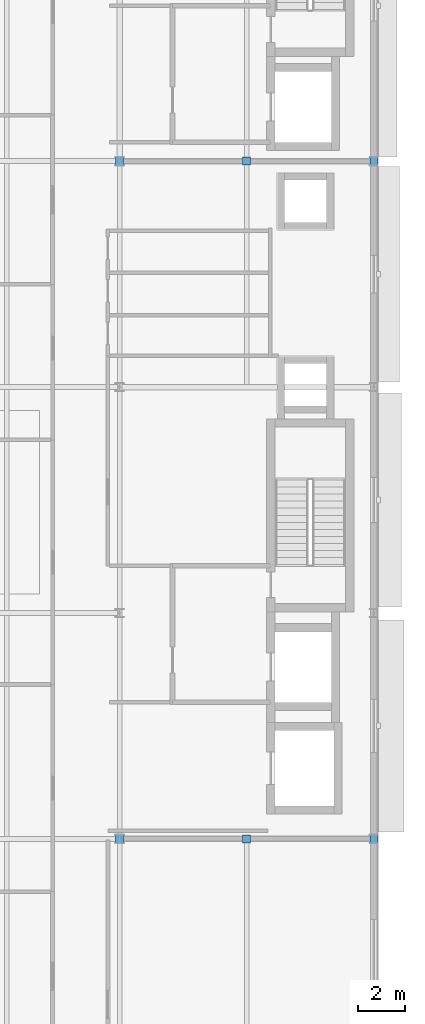
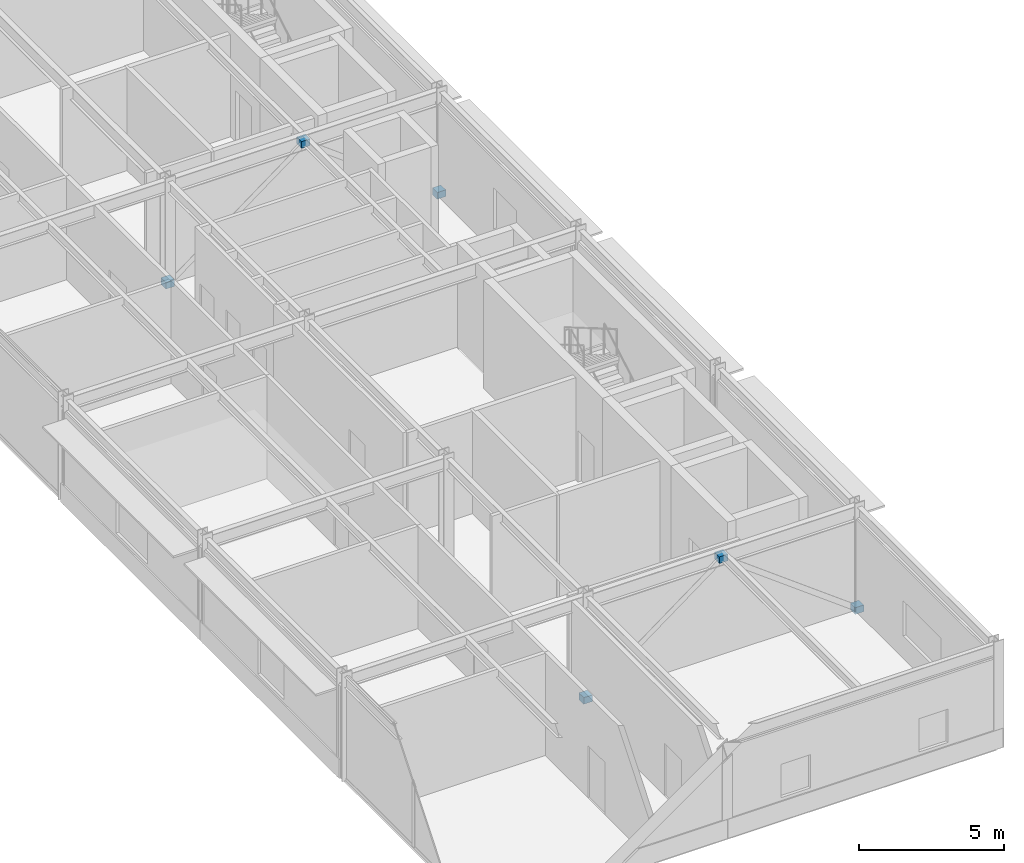
# One storey, part 81 of 116: 6 plates.
"""IFC4 building model written with IfcOpenShell, lengths in metres."""

import ifcopenshell
import ifcopenshell.guid

model = None  # the IFC model being written
_history = None  # IfcOwnerHistory: only IFC2X3 demands one
_inside = {}  # id of a spatial element -> (the spatial element, [elements in it])
_under = {}  # id of a project, library or spatial element -> (it, [spatial elements below it])
_declared = {}  # id of a project -> (the project, [libraries it declares])
_typed = {}  # id of a type object -> (the type object, [elements of that type])
_made_of = {}  # id of a material, layer set ... -> (it, [elements and type objects made of it])


def new_model(schema):
    """Start an empty IFC model of exactly this schema.

    Asked for "IFC4X3", IfcOpenShell would pick the latest addendum, in which some entities
    have other attributes; the version numbers below select the first issue.
    IFC2X3 requires an IfcOwnerHistory on every rooted entity: one is made here for all.
    """
    global model, _history
    if schema == "IFC4X3":
        model = ifcopenshell.file(schema_version=(4, 3, 0, 0))
    else:
        model = ifcopenshell.file(schema=schema)
    _inside.clear()
    _under.clear()
    _declared.clear()
    _typed.clear()
    _made_of.clear()
    _history = None
    if model.schema == "IFC2X3":
        org = make("IfcOrganization", Name="unknown")
        user = make(
            "IfcPersonAndOrganization",
            ThePerson=make("IfcPerson", FamilyName="unknown"),
            TheOrganization=org,
        )
        app = make(
            "IfcApplication",
            ApplicationDeveloper=org,
            Version="unknown",
            ApplicationFullName="unknown",
            ApplicationIdentifier="unknown",
        )
        _history = make(
            "IfcOwnerHistory",
            OwningUser=user,
            OwningApplication=app,
            ChangeAction="ADDED",
            CreationDate=0,
        )
    return model


def make(cls, **values):
    """One entity of the class cls with the attributes given. An attribute that is None is left unset."""
    return model.create_entity(
        cls, **{name: value for name, value in values.items() if value is not None}
    )


def rooted(cls, **values):
    """An entity with a GlobalId (a new one), such as an element, a storey or a relation."""
    return make(cls, GlobalId=ifcopenshell.guid.new(), OwnerHistory=_history, **values)


def si_unit(unit_type, name, prefix=None):
    """IfcSIUnit, for example si_unit("LENGTHUNIT", "METRE", prefix="MILLI")."""
    return make("IfcSIUnit", UnitType=unit_type, Prefix=prefix, Name=name)


def assignment(units):
    """IfcUnitAssignment: the units of a project."""
    return None if units is None else make("IfcUnitAssignment", Units=units)


def point(xyz):
    """IfcCartesianPoint."""
    return None if xyz is None else make("IfcCartesianPoint", Coordinates=xyz)


def direction(xyz):
    """IfcDirection."""
    return None if xyz is None else make("IfcDirection", DirectionRatios=xyz)


def frame(location, z_axis=None, x_axis=None):
    """IfcAxis2Placement3D, a coordinate frame: its origin and axes. An axis left out is left unset."""
    return make(
        "IfcAxis2Placement3D",
        Location=point(location),
        Axis=direction(z_axis),
        RefDirection=direction(x_axis),
    )


def frame_2d(location, x_axis=None):
    """IfcAxis2Placement2D, a coordinate frame in the plane: its origin and x axis."""
    return make(
        "IfcAxis2Placement2D", Location=point(location), RefDirection=direction(x_axis)
    )


def origin():
    """The frame at (0, 0, 0) with its axes left unset."""
    return frame((0.0, 0.0, 0.0))


def origin_2d():
    """The frame at (0, 0) in the plane with its x axis left unset."""
    return frame_2d((0.0, 0.0))


def place(relative_to, where):
    """IfcLocalPlacement: puts the frame where relative to a parent placement (None: the world)."""
    return make(
        "IfcLocalPlacement", PlacementRelTo=relative_to, RelativePlacement=where
    )


def context(
    kind, dimensions, precision=None, world=None, true_north=None, identifier=None
):
    """IfcGeometricRepresentationContext, for example the 3D "Model" context."""
    return make(
        "IfcGeometricRepresentationContext",
        ContextIdentifier=identifier,
        ContextType=kind,
        CoordinateSpaceDimension=dimensions,
        Precision=precision,
        WorldCoordinateSystem=world,
        TrueNorth=true_north,
    )


def subcontext(parent, identifier, kind, view, scale=None):
    """IfcGeometricRepresentationSubContext, for example "Body" below "Model"."""
    return make(
        "IfcGeometricRepresentationSubContext",
        ContextIdentifier=identifier,
        ContextType=kind,
        ParentContext=parent,
        TargetScale=scale,
        TargetView=view,
    )


def project(units=None, contexts=None):
    """IfcProject with its units and contexts."""
    return rooted(
        "IfcProject",
        Name="project",
        RepresentationContexts=contexts,
        UnitsInContext=assignment(units),
    )


def spatial(cls, under=None, at=None, **own):
    """A site, building, storey or space (cls), placed at a placement, below another one or the project."""
    s = rooted(cls, ObjectPlacement=at, **own)
    if under is not None:
        _under.setdefault(under.id(), (under, []))[1].append(s)
    return s


def profile(cls, at=None, kind="AREA", **sizes):
    """A parametric profile (cls). Its sizes go by their IFC names, for example OverallWidth=200.0."""
    return make(cls, ProfileType=kind, Position=at, **sizes)


def rectangle(**sizes):
    """IfcRectangleProfileDef."""
    return profile("IfcRectangleProfileDef", **sizes)


def extrude(swept, where, along, depth):
    """IfcExtrudedAreaSolid: the profile swept, set in the frame where, extruded along a direction by depth."""
    return make(
        "IfcExtrudedAreaSolid",
        SweptArea=swept,
        Position=where,
        ExtrudedDirection=direction(along),
        Depth=depth,
    )


def shape(context_of_items, identifier, shape_type, items):
    """IfcShapeRepresentation: the items that make up one representation, for example the "Body"."""
    return make(
        "IfcShapeRepresentation",
        ContextOfItems=context_of_items,
        RepresentationIdentifier=identifier,
        RepresentationType=shape_type,
        Items=items,
    )


def material(Name=None, Category=None):
    """IfcMaterial."""
    return make("IfcMaterial", Name=Name, Category=Category)


def layer(
    of_material, thickness, ventilated=None, Name=None, Category=None, Priority=None
):
    """IfcMaterialLayer: one layer of a wall or slab, of a material (None: an air gap)."""
    return make(
        "IfcMaterialLayer",
        Material=of_material,
        LayerThickness=thickness,
        IsVentilated=ventilated,
        Name=Name,
        Category=Category,
        Priority=Priority,
    )


def layer_set(layers, Name=None):
    """IfcMaterialLayerSet."""
    return make("IfcMaterialLayerSet", MaterialLayers=layers, LayerSetName=Name)


def made_of(thing, what):
    """Note that an element or type object is made of a material, layer set ...; save() writes the relation."""
    if what is not None:
        _made_of.setdefault(what.id(), (what, []))[1].append(thing)
    return thing


def type_object(cls, material=None, **own):
    """A type object (cls), such as IfcWallType, which elements share."""
    return made_of(rooted(cls, **own), material)


def element(
    cls,
    number,
    at=None,
    inside=None,
    cuts=None,
    type_object=None,
    material=None,
    context=None,
    identifier="Body",
    shape_type=None,
    held_by="IfcProductDefinitionShape",
    body=None,
    shapes=None,
    **own,
):
    """One element of the class cls, such as IfcWall. Its Tag is "e" and its number.

    at: its placement. inside: the storey or other place that contains it. cuts: it is an
    opening in that element (IfcRelVoidsElement). A single representation is given by context,
    identifier, shape_type and body (its items); several are given by shapes. held_by: the class
    of the entity that holds the representations. save() writes the other relations.
    """
    e = rooted(cls, Tag="e%d" % number, ObjectPlacement=at, **own)
    if body is not None:
        shapes = [shape(context, identifier, shape_type, body)]
    if shapes is not None:
        e.Representation = make(held_by, Representations=shapes)
    if inside is not None:
        _inside.setdefault(inside.id(), (inside, []))[1].append(e)
    if cuts is not None:
        rooted(
            "IfcRelVoidsElement", RelatingBuildingElement=cuts, RelatedOpeningElement=e
        )
    if type_object is not None:
        _typed.setdefault(type_object.id(), (type_object, []))[1].append(e)
    return made_of(e, material)


def aggregate(whole, parts):
    """IfcRelAggregates: a whole, such as a stair, and the parts it consists of."""
    return rooted("IfcRelAggregates", RelatingObject=whole, RelatedObjects=parts)


def save(model, path):
    """Write the relations noted so far, then the file.

    IfcRelAggregates (storeys below a building ...), IfcRelContainedInSpatialStructure (elements
    in a storey), IfcRelDefinesByType, IfcRelAssociatesMaterial and IfcRelDeclares: one each for
    every whole, place, type object, material and project.
    """
    for whole, parts in _under.values():
        aggregate(whole, parts)
    for where, things in _inside.values():
        rooted(
            "IfcRelContainedInSpatialStructure",
            RelatedElements=things,
            RelatingStructure=where,
        )
    for kind, things in _typed.values():
        rooted("IfcRelDefinesByType", RelatedObjects=things, RelatingType=kind)
    for what, things in _made_of.values():
        rooted("IfcRelAssociatesMaterial", RelatedObjects=things, RelatingMaterial=what)
    for by, libraries in _declared.values():
        rooted("IfcRelDeclares", RelatingContext=by, RelatedDefinitions=libraries)
    model.write(path)


model = new_model("IFC4")

# Units and contexts
model_context = context("Model", 3, precision=1e-05, world=origin(), true_north=direction((0.0, 1.0)))
body_context = subcontext(model_context, "Body", "Model", "MODEL_VIEW")
ifc_project = project(units=[si_unit("LENGTHUNIT", "METRE"), si_unit("AREAUNIT", "SQUARE_METRE"), si_unit("VOLUMEUNIT", "CUBIC_METRE"), si_unit("PLANEANGLEUNIT", "RADIAN"), si_unit("MASSUNIT", "GRAM", prefix="KILO")], contexts=[model_context])

# Site, building, storey
site_placement = place(None, origin())
site = spatial("IfcSite", under=ifc_project, at=site_placement, CompositionType="ELEMENT")
building_placement = place(site_placement, origin())
building = spatial("IfcBuilding", under=site, at=building_placement, Name="Almandine Court Research Institute", CompositionType="ELEMENT")
storey_placement = place(building_placement, frame((0.0, 0.0, 14.35009765625)))
storey = spatial("IfcBuildingStorey", under=building, at=storey_placement, Name="L03", CompositionType="ELEMENT", Elevation=14.35009765625)

# Plates
ifc_material = material(Name="Steel ASTM A36", Category="steel")
ifc_layer = layer(ifc_material, 0.280029296875)
ifc_layer_set = layer_set([ifc_layer], Name="Steel ASTM A36")
plate_type = type_object("IfcPlateType", Name="Plate-NPI-03", PredefinedType="SHEET", material=ifc_layer_set)
for number, where, z_axis, x_axis, name in (
    (1, (163.199951171875, 15.60009765625, -0.1201171875), (0.0, 0.0, 1.0), (1.0, 0.0, 0.0), "L03 Seismic Brace Gusset Cap Plate V4-BF1-BL"),
    (2, (174.0, 15.60009765625, -0.1201171875), (0.0, 0.0, 1.0), (1.0, 0.0, 0.0), "L03 Seismic Brace Gusset Cap Plate V4-BF1-BR"),
    (3, (168.60009765625, 15.60009765625, 3.90966796875), (0.0, 0.0, 1.0), (1.0, 0.0, 0.0), "L03 Seismic Brace Gusset Cap Plate V4-BF1-AP"),
    (4, (163.199951171875, 44.39990234375, -0.1201171875), (0.0, 0.0, 1.0), (1.0, 0.0, 0.0), "L03 Seismic Brace Gusset Cap Plate V4-BF2-BL"),
    (5, (174.0, 44.39990234375, -0.1201171875), (0.0, 0.0, 1.0), (1.0, 0.0, 0.0), "L03 Seismic Brace Gusset Cap Plate V4-BF2-BR"),
    (6, (168.60009765625, 44.39990234375, 3.90966796875), (0.0, 0.0, 1.0), (1.0, 0.0, 0.0), "L03 Seismic Brace Gusset Cap Plate V4-BF2-AP"),
):
    element("IfcPlate", number, at=place(storey_placement, frame(where, z_axis=z_axis, x_axis=x_axis)), inside=storey, type_object=plate_type, Name=name, PredefinedType="SHEET", context=body_context, shape_type="SweptSolid", body=[
        extrude(rectangle(XDim=0.340087890625, YDim=0.340087890625, at=origin_2d()), origin(), (0.0, 0.0, 1.0), 0.280029296875),
    ])

save(model, "model.ifc")
